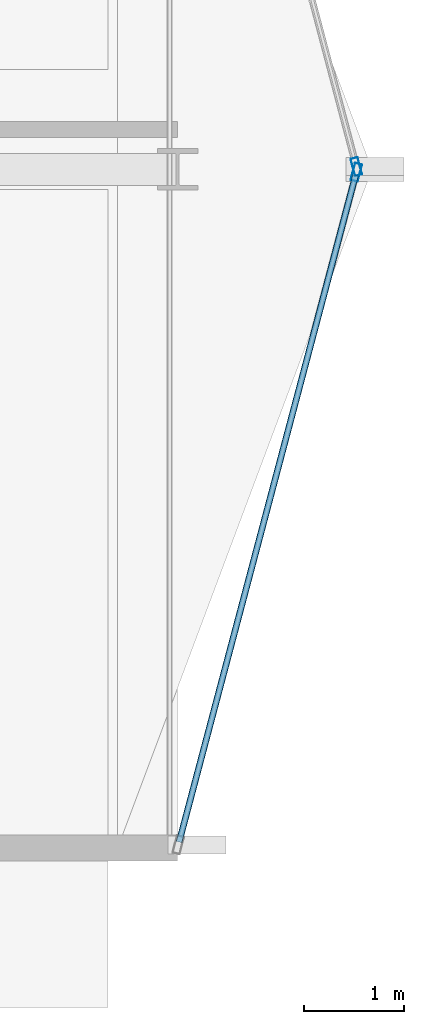
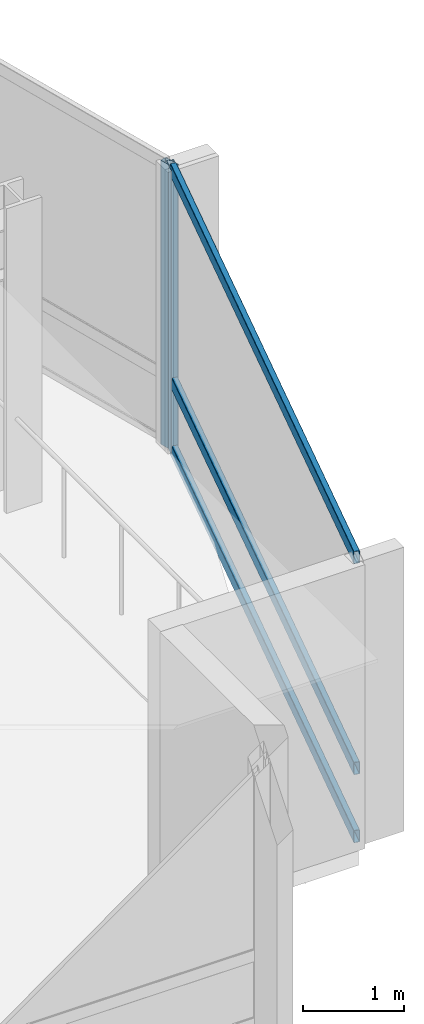
# One storey, part 11 of 27: 5 members, 2 elements without a shape of their own.
"""IFC4 building model written with IfcOpenShell, lengths in metres."""

from ifc_helpers import new_model, si_unit, direction, frame, origin, origin_2d, place, context, subcontext, project, spatial, hollow_rectangle, extrude, material, layer, layer_set, material_profile, profile_set, type_object, element, aggregate, save


model = new_model("IFC4")

# Units and contexts
model_context = context("Model", 3, precision=1e-05, world=origin(), true_north=direction((0.0, 1.0)))
body_context = subcontext(model_context, "Body", "Model", "MODEL_VIEW")
ifc_project = project(units=[si_unit("LENGTHUNIT", "METRE"), si_unit("AREAUNIT", "SQUARE_METRE"), si_unit("VOLUMEUNIT", "CUBIC_METRE"), si_unit("PLANEANGLEUNIT", "RADIAN"), si_unit("MASSUNIT", "GRAM", prefix="KILO")], contexts=[model_context])

# Site, building, storey
site_placement = place(None, origin())
site = spatial("IfcSite", under=ifc_project, at=site_placement, CompositionType="ELEMENT")
building_placement = place(site_placement, origin())
building = spatial("IfcBuilding", under=site, at=building_placement, Name="Solvaryn Broadcast Tower", CompositionType="ELEMENT")
storey_placement = place(building_placement, frame((0.0, 0.0, 181.60009765625)))
storey = spatial("IfcBuildingStorey", under=building, at=storey_placement, Name="L45", CompositionType="ELEMENT", Elevation=181.60009765625)

# Curtain wall, member
ifc_material_1 = material(Name="Aluminium and Terracotta Unitised Curtain Wall", Category="masonry")
ifc_layer = layer(ifc_material_1, 0.199951171875)
ifc_layer_set = layer_set([ifc_layer], Name="CW-SYS2-LOWMID")
curtain_wall_type = type_object("IfcCurtainWallType", Name="CW-SYS2-LOWMID", PredefinedType="NOTDEFINED", material=ifc_layer_set)
curtain_wall_1_placement = place(storey_placement, origin())
curtain_wall_1 = element("IfcCurtainWall", 1, at=curtain_wall_1_placement, inside=storey, type_object=curtain_wall_type, Name="L45 Curtain Wall ET1", PredefinedType="NOTDEFINED")
ifc_material_2 = material(Name="Anodised Aluminium 6063-T6", Category="aluminium")
ifc_material_profile_1 = material_profile(ifc_material_2, hollow_rectangle(XDim=0.074951171875, YDim=0.179931640625, WallThickness=0.00390625, InnerFilletRadius=0.00390625, OuterFilletRadius=0.008056640625, at=origin_2d()))
ifc_profile_set_1 = profile_set([ifc_material_profile_1], Name="Anodised Aluminium 6063-T6")
member_type_1 = type_object("IfcMemberType", Name="CW-MUL-180", PredefinedType="MULLION", material=ifc_profile_set_1)
member_1_placement = place(storey_placement, frame((55.792236328125, 18.029052734375, 0.0), z_axis=(0.0, 0.0, 1.0), x_axis=(0.966705227863, 0.25589256031, 0.0)))
member_1 = element("IfcMember", 2, at=member_1_placement, type_object=member_type_1, Name="CWS2 mullion 2", PredefinedType="MULLION", context=body_context, shape_type="SweptSolid", body=[
    extrude(hollow_rectangle(XDim=0.074951171875, YDim=0.179931640625, WallThickness=0.00390625, InnerFilletRadius=0.00390625, OuterFilletRadius=0.008056640625, at=origin_2d()), origin(), (0.0, 0.0, 1.0), 3.419921875),
])
aggregate(curtain_wall_1, [member_1])

# Curtain wall, members
curtain_wall_2_placement = place(storey_placement, origin())
curtain_wall_2 = element("IfcCurtainWall", 3, at=curtain_wall_2_placement, inside=storey, type_object=curtain_wall_type, Name="L45 Curtain Wall ET2", PredefinedType="NOTDEFINED")
member_2_placement = place(storey_placement, frame((55.792236328125, 17.970947265625, 0.0), z_axis=(0.0, 0.0, 1.0), x_axis=(0.966705227863, -0.25589256031, 0.0)))
member_2 = element("IfcMember", 4, at=member_2_placement, type_object=member_type_1, Name="CWS2 mullion 1", PredefinedType="MULLION", context=body_context, shape_type="SweptSolid", body=[
    extrude(hollow_rectangle(XDim=0.074951171875, YDim=0.179931640625, WallThickness=0.00390625, InnerFilletRadius=0.00390625, OuterFilletRadius=0.008056640625, at=origin_2d()), origin(), (0.0, 0.0, 1.0), 3.419921875),
])
ifc_material_3 = material(Name="Anodised Aluminium 6063-T6", Category="aluminium")
ifc_material_profile_2 = material_profile(ifc_material_3, hollow_rectangle(XDim=0.06494140625, YDim=0.14990234375, WallThickness=0.00390625, InnerFilletRadius=0.00390625, OuterFilletRadius=0.008056640625, at=origin_2d()))
ifc_profile_set_2 = profile_set([ifc_material_profile_2], Name="Anodised Aluminium 6063-T6")
member_type_2 = type_object("IfcMemberType", Name="CW-TRN-150", PredefinedType="USERDEFINED", material=ifc_profile_set_2)
member_3_placement = place(storey_placement, frame((55.78466796875, 17.94189453125, 0.02978515625), z_axis=(-0.255897413051, -0.966703943301, 0.0), x_axis=(0.966703943301, -0.255897413051, 0.0)))
member_3 = element("IfcMember", 5, at=member_3_placement, type_object=member_type_2, Name="CWS2 transom 1.1", ObjectType="TRANSOM", PredefinedType="USERDEFINED", context=body_context, shape_type="SweptSolid", body=[
    extrude(hollow_rectangle(XDim=0.06494140625, YDim=0.14990234375, WallThickness=0.00390625, InnerFilletRadius=0.00390625, OuterFilletRadius=0.008056640625, at=origin_2d()), origin(), (0.0, 0.0, 1.0), 6.9140625),
])
member_4_placement = place(storey_placement, frame((55.78466796875, 17.94189453125, 0.849853515625), z_axis=(-0.255897413051, -0.966703943301, 0.0), x_axis=(0.966703943301, -0.255897413051, 0.0)))
member_4 = element("IfcMember", 6, at=member_4_placement, type_object=member_type_2, Name="CWS2 transom 1.2", ObjectType="TRANSOM", PredefinedType="USERDEFINED", context=body_context, shape_type="SweptSolid", body=[
    extrude(hollow_rectangle(XDim=0.06494140625, YDim=0.14990234375, WallThickness=0.00390625, InnerFilletRadius=0.00390625, OuterFilletRadius=0.008056640625, at=origin_2d()), origin(), (0.0, 0.0, 1.0), 6.9140625),
])
member_5_placement = place(storey_placement, frame((55.78466796875, 17.94189453125, 3.389892578125), z_axis=(-0.255897413051, -0.966703943301, 0.0), x_axis=(0.966703943301, -0.255897413051, 0.0)))
member_5 = element("IfcMember", 7, at=member_5_placement, type_object=member_type_2, Name="CWS2 transom 1.3", ObjectType="TRANSOM", PredefinedType="USERDEFINED", context=body_context, shape_type="SweptSolid", body=[
    extrude(hollow_rectangle(XDim=0.06494140625, YDim=0.14990234375, WallThickness=0.00390625, InnerFilletRadius=0.00390625, OuterFilletRadius=0.008056640625, at=origin_2d()), origin(), (0.0, 0.0, 1.0), 6.9140625),
])
aggregate(curtain_wall_2, [member_2, member_3, member_4, member_5])

save(model, "model.ifc")
